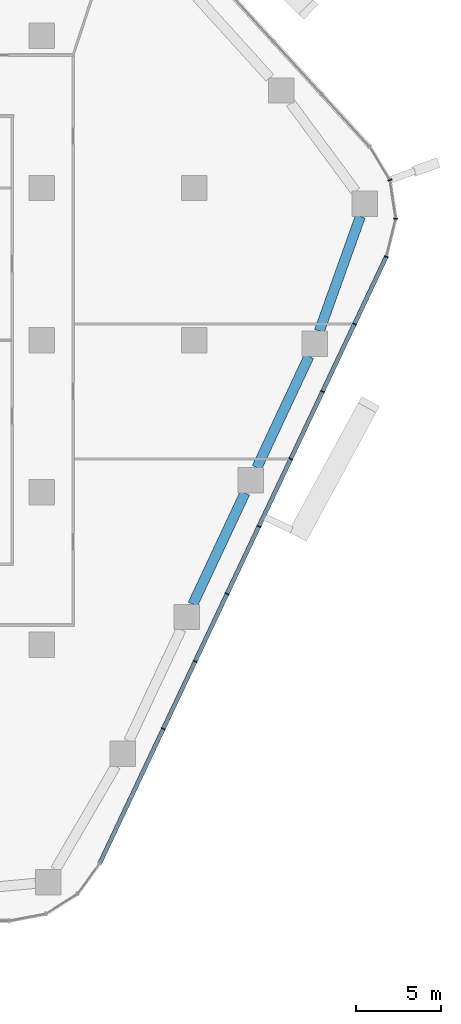
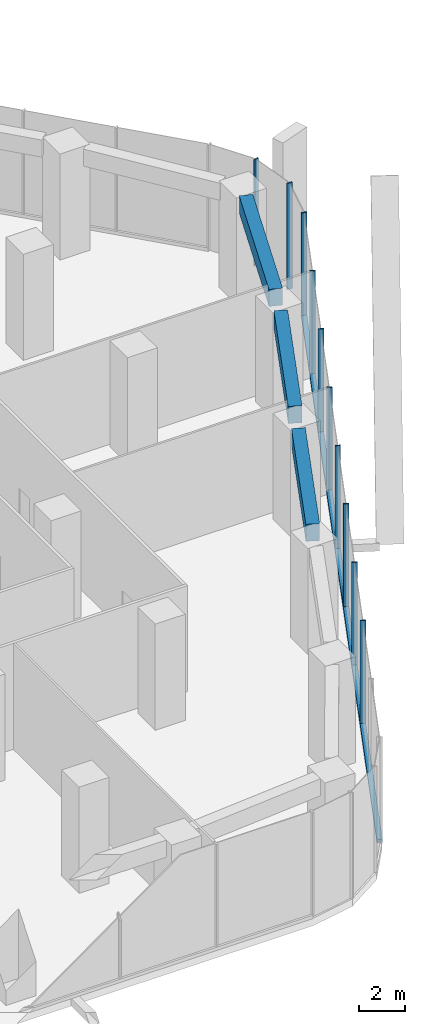
# One storey, part 6 of 19: 11 members, 3 beams, 2 elements without a shape of their own.
"""IFC4 building model written with IfcOpenShell, lengths in metres."""

from ifc_helpers import new_model, si_unit, direction, frame, origin, origin_2d, place, context, subcontext, project, spatial, rectangle, extrude, material, layer, layer_set, material_profile, profile_set, type_object, element, aggregate, save


model = new_model("IFC4")

# Units and contexts
model_context = context("Model", 3, precision=1e-05, world=origin(), true_north=direction((0.0, 1.0)))
body_context = subcontext(model_context, "Body", "Model", "MODEL_VIEW")
ifc_project = project(units=[si_unit("LENGTHUNIT", "METRE"), si_unit("AREAUNIT", "SQUARE_METRE"), si_unit("VOLUMEUNIT", "CUBIC_METRE"), si_unit("PLANEANGLEUNIT", "RADIAN"), si_unit("MASSUNIT", "GRAM", prefix="KILO")], contexts=[model_context])

# Site, building, storey
site_placement = place(None, origin())
site = spatial("IfcSite", under=ifc_project, at=site_placement, CompositionType="ELEMENT")
building_placement = place(site_placement, origin())
building = spatial("IfcBuilding", under=site, at=building_placement, Name="Dongbaek Canopy Tower", CompositionType="ELEMENT")
storey_placement = place(building_placement, frame((0.0, 0.0, 38.0)))
storey = spatial("IfcBuildingStorey", under=building, at=storey_placement, Name="L05", CompositionType="ELEMENT", Elevation=38.0)

# Curtain wall, members
ifc_material_1 = material(Name="Aluminium 6063-T6 pale anodised", Category="aluminium")
ifc_layer = layer(ifc_material_1, 0.25)
ifc_layer_set = layer_set([ifc_layer], Name="CW-4 sky-lobby curtain wall")
curtain_wall_type = type_object("IfcCurtainWallType", Name="CW-4 sky-lobby curtain wall", PredefinedType="NOTDEFINED", material=ifc_layer_set)
curtain_wall_1_placement = place(storey_placement, origin())
curtain_wall_1 = element("IfcCurtainWall", 1, at=curtain_wall_1_placement, inside=storey, type_object=curtain_wall_type, Name="CW-4 curtain wall K0.1", PredefinedType="NOTDEFINED")
ifc_material_2 = material(Name="Aluminium 6063-T6 pale anodised", Category="aluminium")
ifc_material_profile_1 = material_profile(ifc_material_2, rectangle(XDim=0.25, YDim=0.070068359375, at=origin_2d()), Name="CW-4 mullion 70 x 250")
ifc_profile_set_1 = profile_set([ifc_material_profile_1], Name="Aluminium 6063-T6 pale anodised")
member_type_1 = type_object("IfcMemberType", Name="CW-4 mullion 70 x 250", PredefinedType="MULLION", material=ifc_profile_set_1)
member_1_placement = place(storey_placement, frame((38.361083984375, 4.933837890625, 0.0), z_axis=(0.0, 0.0, 1.0), x_axis=(0.970315252117, -0.241843568261, 0.0)))
member_1 = element("IfcMember", 2, at=member_1_placement, type_object=member_type_1, Name="CW-4 mullion K0.1.1", PredefinedType="MULLION", context=body_context, shape_type="SweptSolid", body=[
    extrude(rectangle(XDim=0.25, YDim=0.070068359375, at=origin_2d()), origin(), (0.0, 0.0, 1.0), 5.60009765625),
])
member_2_placement = place(storey_placement, frame((38.921875, 7.183349609375, 0.0), z_axis=(0.0, 0.0, 1.0), x_axis=(0.998880848871, -0.047297460394, 0.0)))
member_2 = element("IfcMember", 3, at=member_2_placement, type_object=member_type_1, Name="CW-4 mullion K0.1.2", PredefinedType="MULLION", context=body_context, shape_type="SweptSolid", body=[
    extrude(rectangle(XDim=0.25, YDim=0.070068359375, at=origin_2d()), origin(), (0.0, 0.0, 1.0), 5.60009765625),
])
member_3_placement = place(storey_placement, frame((38.57763671875, 9.4658203125, 0.0), z_axis=(0.0, 0.0, 1.0), x_axis=(0.940538091815, 0.339688236248, 0.0)))
member_3 = element("IfcMember", 4, at=member_3_placement, type_object=member_type_1, Name="CW-4 mullion K0.1.3", PredefinedType="MULLION", context=body_context, shape_type="SweptSolid", body=[
    extrude(rectangle(XDim=0.25, YDim=0.070068359375, at=origin_2d()), origin(), (0.0, 0.0, 1.0), 5.60009765625),
])
aggregate(curtain_wall_1, [member_1, member_2, member_3])

curtain_wall_2_placement = place(storey_placement, origin())
curtain_wall_2 = element("IfcCurtainWall", 5, at=curtain_wall_2_placement, inside=storey, type_object=curtain_wall_type, Name="CW-4 curtain wall F5.1", PredefinedType="NOTDEFINED")
member_4_placement = place(storey_placement, frame((25.179443359375, -22.9775390625, 0.179931640625), z_axis=(0.0, 0.0, 1.0), x_axis=(0.904233210436, -0.427038992534, 0.0)))
member_4 = element("IfcMember", 6, at=member_4_placement, type_object=member_type_1, Name="CW-4 mullion F5.1.3", PredefinedType="MULLION", context=body_context, shape_type="SweptSolid", body=[
    extrude(rectangle(XDim=0.25, YDim=0.070068359375, at=origin_2d()), origin(), (0.0, 0.0, 1.0), 5.420166015625),
])
member_5_placement = place(storey_placement, frame((27.063232421875, -18.98876953125, 0.179931640625), z_axis=(0.0, 0.0, 1.0), x_axis=(0.904233210436, -0.427038992534, 0.0)))
member_5 = element("IfcMember", 7, at=member_5_placement, type_object=member_type_1, Name="CW-4 mullion F5.1.4", PredefinedType="MULLION", context=body_context, shape_type="SweptSolid", body=[
    extrude(rectangle(XDim=0.25, YDim=0.070068359375, at=origin_2d()), origin(), (0.0, 0.0, 1.0), 5.420166015625),
])
member_6_placement = place(storey_placement, frame((28.947021484375, -15.000244140625, 0.179931640625), z_axis=(0.0, 0.0, 1.0), x_axis=(0.904233210436, -0.427038992534, 0.0)))
member_6 = element("IfcMember", 8, at=member_6_placement, type_object=member_type_1, Name="CW-4 mullion F5.1.5", PredefinedType="MULLION", context=body_context, shape_type="SweptSolid", body=[
    extrude(rectangle(XDim=0.25, YDim=0.070068359375, at=origin_2d()), origin(), (0.0, 0.0, 1.0), 5.420166015625),
])
member_7_placement = place(storey_placement, frame((30.83056640625, -11.01171875, 0.179931640625), z_axis=(0.0, 0.0, 1.0), x_axis=(0.904233210436, -0.427038992534, 0.0)))
member_7 = element("IfcMember", 9, at=member_7_placement, type_object=member_type_1, Name="CW-4 mullion F5.1.6", PredefinedType="MULLION", context=body_context, shape_type="SweptSolid", body=[
    extrude(rectangle(XDim=0.25, YDim=0.070068359375, at=origin_2d()), origin(), (0.0, 0.0, 1.0), 5.420166015625),
])
member_8_placement = place(storey_placement, frame((32.71435546875, -7.02294921875, 0.179931640625), z_axis=(0.0, 0.0, 1.0), x_axis=(0.904233210436, -0.427038992534, 0.0)))
member_8 = element("IfcMember", 10, at=member_8_placement, type_object=member_type_1, Name="CW-4 mullion F5.1.7", PredefinedType="MULLION", context=body_context, shape_type="SweptSolid", body=[
    extrude(rectangle(XDim=0.25, YDim=0.070068359375, at=origin_2d()), origin(), (0.0, 0.0, 1.0), 5.420166015625),
])
member_9_placement = place(storey_placement, frame((34.597900390625, -3.034423828125, 0.179931640625), z_axis=(0.0, 0.0, 1.0), x_axis=(0.904233210436, -0.427038992534, 0.0)))
member_9 = element("IfcMember", 11, at=member_9_placement, type_object=member_type_1, Name="CW-4 mullion F5.1.8", PredefinedType="MULLION", context=body_context, shape_type="SweptSolid", body=[
    extrude(rectangle(XDim=0.25, YDim=0.070068359375, at=origin_2d()), origin(), (0.0, 0.0, 1.0), 5.420166015625),
])
member_10_placement = place(storey_placement, frame((36.481689453125, 0.9541015625, 0.179931640625), z_axis=(0.0, 0.0, 1.0), x_axis=(0.904233210436, -0.427038992534, 0.0)))
member_10 = element("IfcMember", 12, at=member_10_placement, type_object=member_type_1, Name="CW-4 mullion F5.1.9", PredefinedType="MULLION", context=body_context, shape_type="SweptSolid", body=[
    extrude(rectangle(XDim=0.25, YDim=0.070068359375, at=origin_2d()), origin(), (0.0, 0.0, 1.0), 5.420166015625),
])
ifc_material_3 = material(Name="Aluminium 6063-T6 pale anodised", Category="aluminium")
ifc_material_profile_2 = material_profile(ifc_material_3, rectangle(XDim=0.25, YDim=0.179931640625, at=origin_2d()), Name="CW-4 transom 180 x 250")
ifc_profile_set_2 = profile_set([ifc_material_profile_2], Name="Aluminium 6063-T6 pale anodised")
member_type_2 = type_object("IfcMemberType", Name="CW-4 transom 180 x 250", PredefinedType="USERDEFINED", material=ifc_profile_set_2)
member_11_placement = place(storey_placement, frame((21.416259765625, -30.946044921875, 0.090087890625), z_axis=(0.427038167489, 0.904233600077, 0.0), x_axis=(-0.904233600077, 0.427038167489, 0.0)))
member_11 = element("IfcMember", 13, at=member_11_placement, type_object=member_type_2, Name="CW-4 transom F5.1.1", ObjectType="TRANSOM", PredefinedType="USERDEFINED", context=body_context, shape_type="SweptSolid", body=[
    extrude(rectangle(XDim=0.25, YDim=0.179931640625, at=origin_2d()), origin(), (0.0, 0.0, 1.0), 39.679931640625),
])
aggregate(curtain_wall_2, [member_4, member_5, member_6, member_7, member_8, member_9, member_10, member_11])

# Beams
ifc_material_4 = material(Name="Concrete C80", Category="concrete")
ifc_material_profile_3 = material_profile(ifc_material_4, rectangle(XDim=0.60009765625, YDim=0.89990234375, at=origin_2d()), Name="RC EDGE BEAM 600x900 C80")
ifc_profile_set_3 = profile_set([ifc_material_profile_3], Name="Concrete C80")
beam_type = type_object("IfcBeamType", Name="RC EDGE BEAM 600x900 C80", PredefinedType="BEAM", material=ifc_profile_set_3)
beam_1_placement = place(storey_placement, frame((36.830078125, 7.31591796875, 5.14990234375), z_axis=(-0.336456848831, -0.941698884397, 0.0), x_axis=(0.941698884397, -0.336456848831, 0.0)))
element("IfcBeam", 14, at=beam_1_placement, inside=storey, type_object=beam_type, Name="EDGEBEAM:L05:21", PredefinedType="BEAM", context=body_context, shape_type="SweptSolid", body=[
    extrude(rectangle(XDim=0.60009765625, YDim=0.89990234375, at=origin_2d()), origin(), (0.0, 0.0, 1.0), 7.190185546875),
])
beam_2_placement = place(storey_placement, frame((33.791748046875, -0.955078125, 5.14990234375), z_axis=(-0.424064450026, -0.905632012588, 0.0), x_axis=(0.905632012588, -0.424064450026, 0.0)))
element("IfcBeam", 15, at=beam_2_placement, inside=storey, type_object=beam_type, Name="EDGEBEAM:L05:22", PredefinedType="BEAM", context=body_context, shape_type="SweptSolid", body=[
    extrude(rectangle(XDim=0.60009765625, YDim=0.89990234375, at=origin_2d()), origin(), (0.0, 0.0, 1.0), 7.264404296875),
])
beam_3_placement = place(storey_placement, frame((30.0087890625, -9.033935546875, 5.14990234375), z_axis=(-0.424110161641, -0.905610606604, 0.0), x_axis=(0.905610606604, -0.424110161641, 0.0)))
element("IfcBeam", 16, at=beam_3_placement, inside=storey, type_object=beam_type, Name="EDGEBEAM:L05:23", PredefinedType="BEAM", context=body_context, shape_type="SweptSolid", body=[
    extrude(rectangle(XDim=0.60009765625, YDim=0.89990234375, at=origin_2d()), origin(), (0.0, 0.0, 1.0), 7.265869140625),
])

save(model, "model.ifc")
